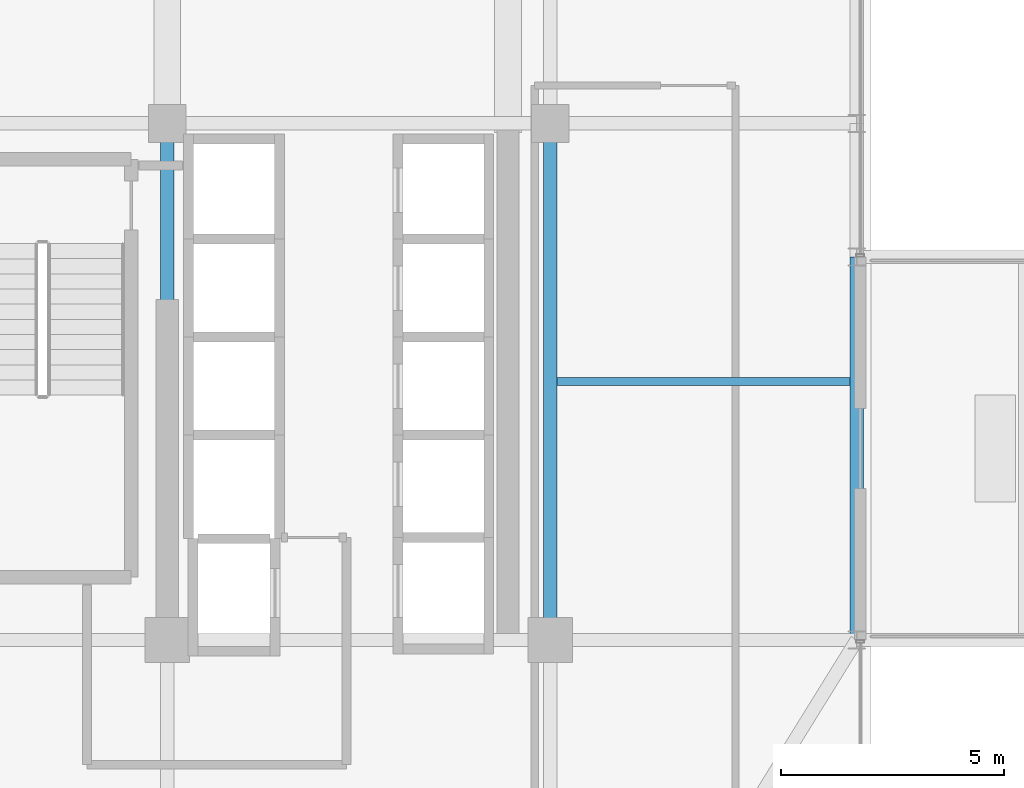
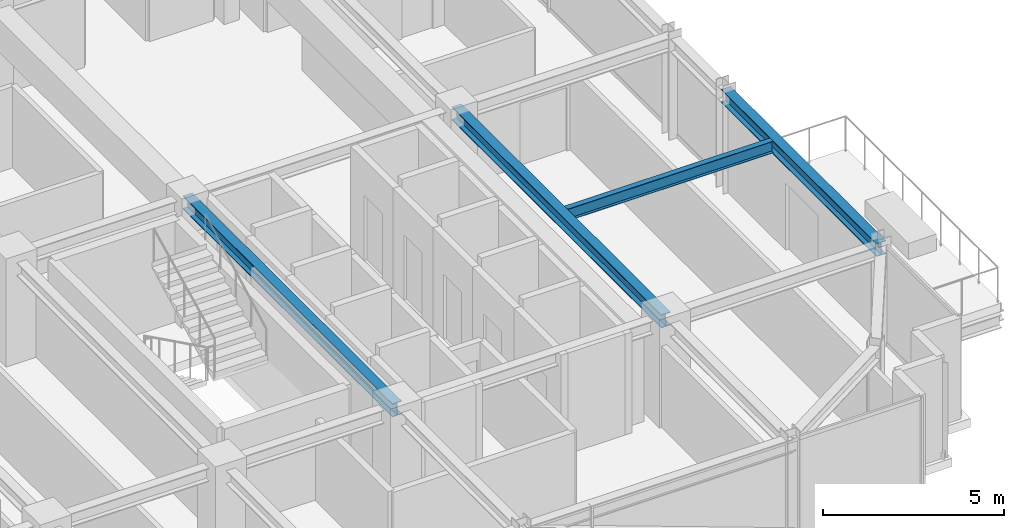
# One storey, part 14 of 42: 4 beams.
"""IFC4 building model written with IfcOpenShell, lengths in metres."""

from ifc_helpers import new_model, si_unit, direction, frame, origin, origin_2d, place, context, subcontext, project, spatial, i_section, extrude, source, transform, mapped, material, material_profile, profile_set, type_object, element, save


model = new_model("IFC4")

# Units and contexts
model_context = context("Model", 3, precision=1e-05, world=origin(), true_north=direction((0.0, 1.0)))
body_context = subcontext(model_context, "Body", "Model", "MODEL_VIEW")
ifc_project = project(units=[si_unit("LENGTHUNIT", "METRE"), si_unit("AREAUNIT", "SQUARE_METRE"), si_unit("VOLUMEUNIT", "CUBIC_METRE"), si_unit("PLANEANGLEUNIT", "RADIAN"), si_unit("MASSUNIT", "GRAM", prefix="KILO")], contexts=[model_context])

# Site, building, storey
site_placement = place(None, origin())
site = spatial("IfcSite", under=ifc_project, at=site_placement, CompositionType="ELEMENT")
building_placement = place(site_placement, origin())
building = spatial("IfcBuilding", under=site, at=building_placement, Name="Nahalor Promenade Grand Hotel", CompositionType="ELEMENT")
storey_placement = place(building_placement, frame((0.0, 0.0, 249.300048828125)))
storey = spatial("IfcBuildingStorey", under=building, at=storey_placement, Name="L64", CompositionType="ELEMENT", Elevation=249.300048828125)

# Beams
ifc_material = material(Name="Steel S355JR", Category="steel")
ifc_material_profile_1 = material_profile(ifc_material, i_section(OverallWidth=0.3, OverallDepth=0.45, WebThickness=0.014, FlangeThickness=0.026, at=origin_2d()), Name="HEB 450")
ifc_profile_set_1 = profile_set([ifc_material_profile_1], Name="Steel S355JR")
beam_type_1 = type_object("IfcBeamType", Name="Beam-Spandrel-HEB450", PredefinedType="SPANDREL", material=ifc_profile_set_1)
shared_shape_1 = source(origin(), body_context, "Body", "SweptSolid", [
    extrude(i_section(OverallWidth=0.3, OverallDepth=0.45, WebThickness=0.014, FlangeThickness=0.026, at=origin_2d()), origin(), (0.0, 0.0, 1.0), 8.60009765625),
])
beam_1_placement = place(storey_placement, frame((23.8798828125, -17.0, 3.18505859375), z_axis=(0.0, 1.0, 0.0), x_axis=(-1.0, 0.0, 0.0)))
element("IfcBeam", 1, at=beam_1_placement, inside=storey, type_object=beam_type_1, Name="BM-L64-SP-E-0", PredefinedType="SPANDREL", context=body_context, shape_type="MappedRepresentation", body=[
    mapped(shared_shape_1, transform((0.0, 0.0, 0.0), scale=1.0)),
])
ifc_material_profile_2 = material_profile(ifc_material, i_section(OverallWidth=0.3, OverallDepth=0.45, WebThickness=0.014, FlangeThickness=0.026, at=origin_2d()), Name="HEB 450")
ifc_profile_set_2 = profile_set([ifc_material_profile_2], Name="Steel S355JR")
beam_type_2 = type_object("IfcBeamType", Name="Beam-Girder-HEB450", PredefinedType="BEAM", material=ifc_profile_set_2)
shared_shape_2 = source(origin(), body_context, "Body", "SweptSolid", [
    extrude(i_section(OverallWidth=0.3, OverallDepth=0.45, WebThickness=0.014, FlangeThickness=0.026, at=origin_2d()), origin(), (0.0, 0.0, 1.0), 11.60009765625),
])
for number, where, z_axis, x_axis, name in (
    (2, (8.39990234375, -17.0, 3.18505859375), (0.0, 1.0, 0.0), (-1.0, 0.0, 0.0), "BM-L64-GY-4-1"),
    (3, (17.0, -17.0, 3.18505859375), (0.0, 1.0, 0.0), (-1.0, 0.0, 0.0), "BM-L64-GY-5-1"),
):
    element("IfcBeam", number, at=place(storey_placement, frame(where, z_axis=z_axis, x_axis=x_axis)), inside=storey, type_object=beam_type_2, Name=name, PredefinedType="BEAM", context=body_context, shape_type="MappedRepresentation", body=[
        mapped(shared_shape_2, transform((0.0, 0.0, 0.0), scale=1.0)),
    ])
ifc_material_profile_3 = material_profile(ifc_material, i_section(OverallWidth=0.18, OverallDepth=0.4, WebThickness=0.0086, FlangeThickness=0.0135, at=origin_2d()), Name="IPE 400")
ifc_profile_set_3 = profile_set([ifc_material_profile_3], Name="Steel S355JR")
beam_type_3 = type_object("IfcBeamType", Name="Beam-Joist-IPE400", PredefinedType="JOIST", material=ifc_profile_set_3)
shared_shape_3 = source(origin(), body_context, "Body", "SweptSolid", [
    extrude(i_section(OverallWidth=0.18, OverallDepth=0.4, WebThickness=0.0086, FlangeThickness=0.0135, at=origin_2d()), origin(), (0.0, 0.0, 1.0), 6.580078125),
])
beam_2_placement = place(storey_placement, frame((17.14990234375, -11.199951171875, 3.2099609375), z_axis=(1.0, 0.0, 0.0), x_axis=(0.0, 1.0, 0.0)))
element("IfcBeam", 4, at=beam_2_placement, inside=storey, type_object=beam_type_3, Name="BM-L64-JSE-0-2", PredefinedType="JOIST", context=body_context, shape_type="MappedRepresentation", body=[
    mapped(shared_shape_3, transform((0.0, 0.0, 0.0), scale=1.0)),
])

save(model, "model.ifc")
